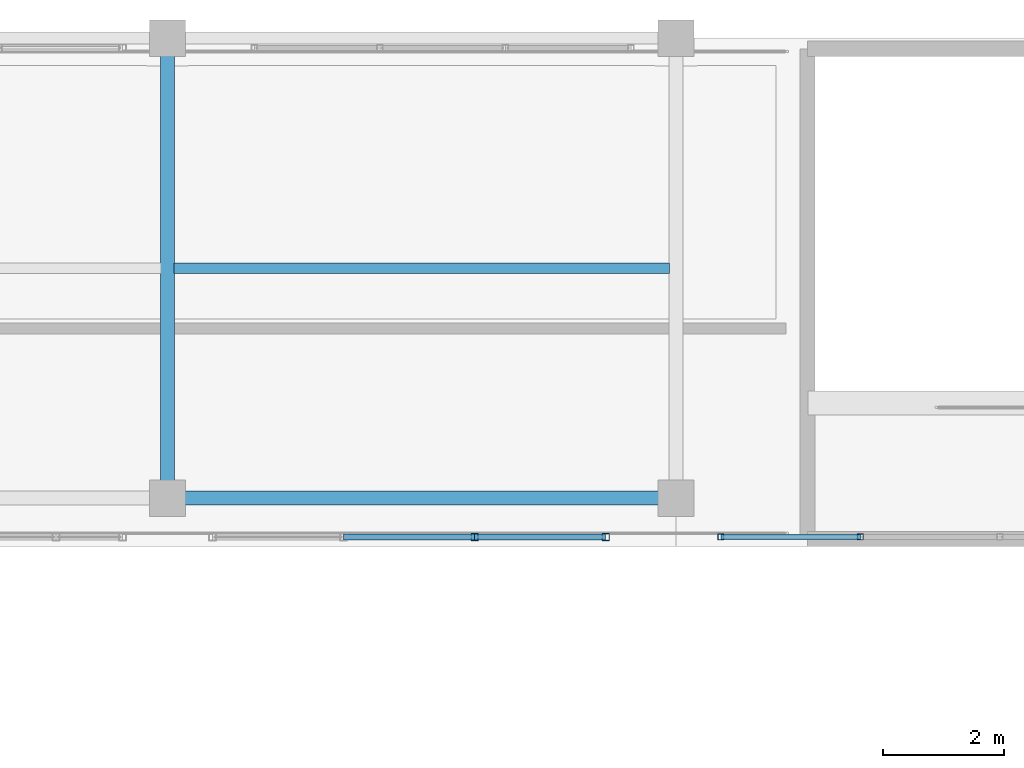
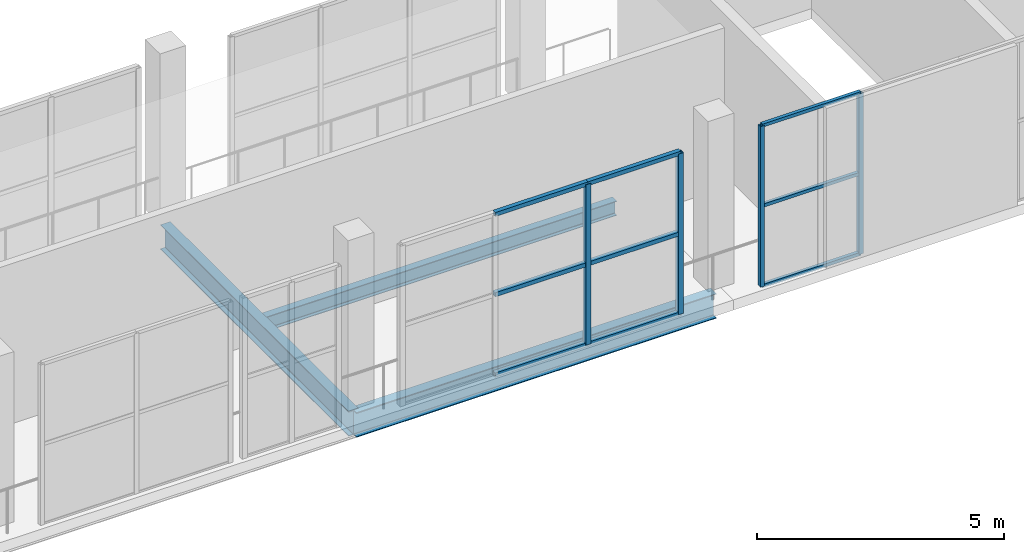
# One storey, part 70 of 151: 13 members, 3 beams, 2 elements without a shape of their own.
"""IFC4 building model written with IfcOpenShell, lengths in metres."""

from ifc_helpers import new_model, si_unit, direction, frame, origin, origin_2d, place, context, subcontext, project, spatial, hollow_rectangle, i_section, extrude, material, material_profile, profile_set, type_object, element, aggregate, save


model = new_model("IFC4")

# Units and contexts
model_context = context("Model", 3, precision=1e-05, world=origin(), true_north=direction((0.0, 1.0)))
body_context = subcontext(model_context, "Body", "Model", "MODEL_VIEW")
ifc_project = project(units=[si_unit("LENGTHUNIT", "METRE"), si_unit("AREAUNIT", "SQUARE_METRE"), si_unit("VOLUMEUNIT", "CUBIC_METRE"), si_unit("PLANEANGLEUNIT", "RADIAN"), si_unit("MASSUNIT", "GRAM", prefix="KILO")], contexts=[model_context])

# Site, building, storey
site_placement = place(None, origin())
site = spatial("IfcSite", under=ifc_project, at=site_placement, CompositionType="ELEMENT")
building_placement = place(site_placement, origin())
building = spatial("IfcBuilding", under=site, at=building_placement, Name="Zuvorla Pavilion Media Centre", CompositionType="ELEMENT")
storey_placement = place(building_placement, frame((0.0, 0.0, 13.800048828125)))
storey = spatial("IfcBuildingStorey", under=building, at=storey_placement, Name="L03", CompositionType="ELEMENT", Elevation=13.800048828125)

# Beams
ifc_material_1 = material(Name="Steel S355", Category="steel")
ifc_material_profile_1 = material_profile(ifc_material_1, i_section(OverallWidth=0.172119140625, OverallDepth=0.35791015625, WebThickness=0.008056640625, FlangeThickness=0.012939453125, FilletRadius=0.01025390625, at=origin_2d()), Name="UB 356x171x57")
ifc_profile_set_1 = profile_set([ifc_material_profile_1], Name="Steel S355")
beam_type_1 = type_object("IfcBeamType", Name="BM-UB356", PredefinedType="JOIST", material=ifc_profile_set_1)
beam_1_placement = place(storey_placement, frame((83.70947265625, 85.800048828125, -0.43701171875), z_axis=(1.0, 0.0, 0.0), x_axis=(0.0, 1.0, 0.0)))
element("IfcBeam", 1, at=beam_1_placement, inside=storey, type_object=beam_type_1, Name="L03 joist J03 1268", PredefinedType="JOIST", context=body_context, shape_type="SweptSolid", body=[
    extrude(i_section(OverallWidth=0.172119140625, OverallDepth=0.35791015625, WebThickness=0.008056640625, FlangeThickness=0.012939453125, FilletRadius=0.01025390625, at=origin_2d()), origin(), (0.0, 0.0, 1.0), 8.180908203125),
])
ifc_material_profile_2 = material_profile(ifc_material_1, i_section(OverallWidth=0.22900390625, OverallDepth=0.6123046875, WebThickness=0.011962890625, FlangeThickness=0.01953125, FilletRadius=0.0126953125, at=origin_2d()), Name="UB 610x229x125")
ifc_profile_set_2 = profile_set([ifc_material_profile_2], Name="Steel S355")
beam_type_2 = type_object("IfcBeamType", Name="BM-UB610", PredefinedType="BEAM", material=ifc_profile_set_2)
beam_2_placement = place(storey_placement, frame((83.60009765625, 82.0, -0.564208984375), z_axis=(1.0, 0.0, 0.0), x_axis=(0.0, 1.0, 0.0)))
element("IfcBeam", 2, at=beam_2_placement, inside=storey, type_object=beam_type_2, Name="L03 beam B07 1123", PredefinedType="BEAM", context=body_context, shape_type="SweptSolid", body=[
    extrude(i_section(OverallWidth=0.22900390625, OverallDepth=0.6123046875, WebThickness=0.011962890625, FlangeThickness=0.01953125, FilletRadius=0.0126953125, at=origin_2d()), origin(), (0.0, 0.0, 1.0), 8.39990234375),
])
beam_3_placement = place(storey_placement, frame((83.60009765625, 82.0, -0.564208984375), z_axis=(0.0, 1.0, 0.0), x_axis=(-1.0, 0.0, 0.0)))
element("IfcBeam", 3, at=beam_3_placement, inside=storey, type_object=beam_type_2, Name="L03 beam B07 1193", PredefinedType="BEAM", context=body_context, shape_type="SweptSolid", body=[
    extrude(i_section(OverallWidth=0.22900390625, OverallDepth=0.6123046875, WebThickness=0.011962890625, FlangeThickness=0.01953125, FilletRadius=0.0126953125, at=origin_2d()), origin(), (0.0, 0.0, 1.0), 7.60009765625),
])

# Curtain wall, members
ifc_material_2 = material(Name="Unitised anodised aluminium and solar glass curtain wall", Category="aluminium")
curtain_wall_type_1 = type_object("IfcCurtainWallType", Name="CW-SYS-70", PredefinedType="USERDEFINED", material=ifc_material_2)
curtain_wall_1_placement = place(storey_placement, origin())
curtain_wall_1 = element("IfcCurtainWall", 4, at=curtain_wall_1_placement, inside=storey, type_object=curtain_wall_type_1, Name="L03 curtain wall CW70 169", ObjectType="CURTAIN WALL", PredefinedType="USERDEFINED")
ifc_material_3 = material(Name="Anodised aluminium 6063-T6", Category="aluminium")
ifc_material_profile_3 = material_profile(ifc_material_3, hollow_rectangle(XDim=0.10009765625, YDim=0.10009765625, WallThickness=0.00439453125, at=origin_2d()), Name="ALU MULL 100x100")
ifc_profile_set_3 = profile_set([ifc_material_profile_3], Name="Anodised aluminium 6063-T6")
member_type_1 = type_object("IfcMemberType", Name="CW-MULL-100", PredefinedType="MULLION", material=ifc_profile_set_3)
member_1_placement = place(storey_placement, frame((95.048095703125, 81.360107421875, 0.0), z_axis=(0.0, 0.0, 1.0), x_axis=(1.0, 0.0, 0.0)))
member_1 = element("IfcMember", 5, at=member_1_placement, type_object=member_type_1, Name="CW70 mullion 3", PredefinedType="MULLION", context=body_context, shape_type="SweptSolid", body=[
    extrude(hollow_rectangle(XDim=0.10009765625, YDim=0.10009765625, WallThickness=0.00439453125, at=origin_2d()), origin(), (0.0, 0.0, 1.0), 3.9599609375),
])
member_2_placement = place(storey_placement, frame((92.744384765625, 81.360107421875, 0.0), z_axis=(0.0, 0.0, 1.0), x_axis=(1.0, 0.0, 0.0)))
member_2 = element("IfcMember", 6, at=member_2_placement, type_object=member_type_1, Name="CW70 mullion 4", PredefinedType="MULLION", context=body_context, shape_type="SweptSolid", body=[
    extrude(hollow_rectangle(XDim=0.10009765625, YDim=0.10009765625, WallThickness=0.00439453125, at=origin_2d()), origin(), (0.0, 0.0, 1.0), 3.9599609375),
])

curtain_wall_type_2 = type_object("IfcCurtainWallType", Name="CW-SYS-81", PredefinedType="USERDEFINED", material=ifc_material_2)
curtain_wall_2_placement = place(storey_placement, origin())
curtain_wall_2 = element("IfcCurtainWall", 7, at=curtain_wall_2_placement, inside=storey, type_object=curtain_wall_type_2, Name="L03 curtain wall CW81 166", ObjectType="CURTAIN WALL", PredefinedType="USERDEFINED")
ifc_material_profile_4 = material_profile(ifc_material_3, hollow_rectangle(XDim=0.1201171875, YDim=0.1201171875, WallThickness=0.0048828125, at=origin_2d()), Name="ALU MULL 120x120")
ifc_profile_set_4 = profile_set([ifc_material_profile_4], Name="Anodised aluminium 6063-T6")
member_type_2 = type_object("IfcMemberType", Name="CW-MULL-120", PredefinedType="MULLION", material=ifc_profile_set_4)
member_3_placement = place(storey_placement, frame((90.840087890625, 81.360107421875, 0.0), z_axis=(0.0, 0.0, 1.0), x_axis=(1.0, 0.0, 0.0)))
member_3 = element("IfcMember", 8, at=member_3_placement, type_object=member_type_2, Name="CW81 mullion 1", PredefinedType="MULLION", context=body_context, shape_type="SweptSolid", body=[
    extrude(hollow_rectangle(XDim=0.1201171875, YDim=0.1201171875, WallThickness=0.0048828125, at=origin_2d()), origin(), (0.0, 0.0, 1.0), 3.9599609375),
])
member_4_placement = place(storey_placement, frame((88.6748046875, 81.360107421875, 0.0), z_axis=(0.0, 0.0, 1.0), x_axis=(1.0, 0.0, 0.0)))
member_4 = element("IfcMember", 9, at=member_4_placement, type_object=member_type_2, Name="CW81 mullion 2", PredefinedType="MULLION", context=body_context, shape_type="SweptSolid", body=[
    extrude(hollow_rectangle(XDim=0.1201171875, YDim=0.1201171875, WallThickness=0.0048828125, at=origin_2d()), origin(), (0.0, 0.0, 1.0), 3.9599609375),
])
ifc_material_profile_5 = material_profile(ifc_material_3, hollow_rectangle(XDim=0.10009765625, YDim=0.10009765625, WallThickness=0.00439453125, at=origin_2d()), Name="ALU TRAN 100x100")
ifc_profile_set_5 = profile_set([ifc_material_profile_5], Name="Anodised aluminium 6063-T6")
member_type_3 = type_object("IfcMemberType", Name="CW-TRAN-100", PredefinedType="USERDEFINED", material=ifc_profile_set_5)
member_5_placement = place(storey_placement, frame((90.840087890625, 81.360107421875, 0.0), z_axis=(-1.0, 0.0, 0.0), x_axis=(0.0, -1.0, 0.0)))
member_5 = element("IfcMember", 10, at=member_5_placement, type_object=member_type_3, Name="CW81 transom 1.1", ObjectType="TRANSOM", PredefinedType="USERDEFINED", context=body_context, shape_type="SweptSolid", body=[
    extrude(hollow_rectangle(XDim=0.10009765625, YDim=0.10009765625, WallThickness=0.00439453125, at=origin_2d()), origin(), (0.0, 0.0, 1.0), 2.165283203125),
])
member_6_placement = place(storey_placement, frame((90.840087890625, 81.360107421875, 1.97998046875), z_axis=(-1.0, 0.0, 0.0), x_axis=(0.0, -1.0, 0.0)))
member_6 = element("IfcMember", 11, at=member_6_placement, type_object=member_type_3, Name="CW81 transom 1.2", ObjectType="TRANSOM", PredefinedType="USERDEFINED", context=body_context, shape_type="SweptSolid", body=[
    extrude(hollow_rectangle(XDim=0.10009765625, YDim=0.10009765625, WallThickness=0.00439453125, at=origin_2d()), origin(), (0.0, 0.0, 1.0), 2.165283203125),
])
member_7_placement = place(storey_placement, frame((90.840087890625, 81.360107421875, 3.9599609375), z_axis=(-1.0, 0.0, 0.0), x_axis=(0.0, -1.0, 0.0)))
member_7 = element("IfcMember", 12, at=member_7_placement, type_object=member_type_3, Name="CW81 transom 1.3", ObjectType="TRANSOM", PredefinedType="USERDEFINED", context=body_context, shape_type="SweptSolid", body=[
    extrude(hollow_rectangle(XDim=0.10009765625, YDim=0.10009765625, WallThickness=0.00439453125, at=origin_2d()), origin(), (0.0, 0.0, 1.0), 2.165283203125),
])
member_8_placement = place(storey_placement, frame((88.6748046875, 81.360107421875, 0.0), z_axis=(-1.0, 0.0, 0.0), x_axis=(0.0, -1.0, 0.0)))
member_8 = element("IfcMember", 13, at=member_8_placement, type_object=member_type_3, Name="CW81 transom 2.1", ObjectType="TRANSOM", PredefinedType="USERDEFINED", context=body_context, shape_type="SweptSolid", body=[
    extrude(hollow_rectangle(XDim=0.10009765625, YDim=0.10009765625, WallThickness=0.00439453125, at=origin_2d()), origin(), (0.0, 0.0, 1.0), 2.165283203125),
])
member_9_placement = place(storey_placement, frame((88.6748046875, 81.360107421875, 1.97998046875), z_axis=(-1.0, 0.0, 0.0), x_axis=(0.0, -1.0, 0.0)))
member_9 = element("IfcMember", 14, at=member_9_placement, type_object=member_type_3, Name="CW81 transom 2.2", ObjectType="TRANSOM", PredefinedType="USERDEFINED", context=body_context, shape_type="SweptSolid", body=[
    extrude(hollow_rectangle(XDim=0.10009765625, YDim=0.10009765625, WallThickness=0.00439453125, at=origin_2d()), origin(), (0.0, 0.0, 1.0), 2.165283203125),
])
member_10_placement = place(storey_placement, frame((88.6748046875, 81.360107421875, 3.9599609375), z_axis=(-1.0, 0.0, 0.0), x_axis=(0.0, -1.0, 0.0)))
member_10 = element("IfcMember", 15, at=member_10_placement, type_object=member_type_3, Name="CW81 transom 2.3", ObjectType="TRANSOM", PredefinedType="USERDEFINED", context=body_context, shape_type="SweptSolid", body=[
    extrude(hollow_rectangle(XDim=0.10009765625, YDim=0.10009765625, WallThickness=0.00439453125, at=origin_2d()), origin(), (0.0, 0.0, 1.0), 2.165283203125),
])
aggregate(curtain_wall_2, [member_3, member_4, member_5, member_6, member_7, member_8, member_9, member_10])

# Member
ifc_material_profile_6 = material_profile(ifc_material_3, hollow_rectangle(XDim=0.080078125, YDim=0.080078125, WallThickness=0.00390625, at=origin_2d()), Name="ALU TRAN 80x80")
ifc_profile_set_6 = profile_set([ifc_material_profile_6], Name="Anodised aluminium 6063-T6")
member_type_4 = type_object("IfcMemberType", Name="CW-TRAN-80", PredefinedType="USERDEFINED", material=ifc_profile_set_6)
member_11_placement = place(storey_placement, frame((95.048095703125, 81.360107421875, 0.0), z_axis=(-1.0, 0.0, 0.0), x_axis=(0.0, -1.0, 0.0)))
member_11 = element("IfcMember", 16, at=member_11_placement, type_object=member_type_4, Name="CW70 transom 3.1", ObjectType="TRANSOM", PredefinedType="USERDEFINED", context=body_context, shape_type="SweptSolid", body=[
    extrude(hollow_rectangle(XDim=0.080078125, YDim=0.080078125, WallThickness=0.00390625, at=origin_2d()), origin(), (0.0, 0.0, 1.0), 2.3037109375),
])

member_12_placement = place(storey_placement, frame((95.048095703125, 81.360107421875, 1.97998046875), z_axis=(-1.0, 0.0, 0.0), x_axis=(0.0, -1.0, 0.0)))
member_12 = element("IfcMember", 17, at=member_12_placement, type_object=member_type_4, Name="CW70 transom 3.2", ObjectType="TRANSOM", PredefinedType="USERDEFINED", context=body_context, shape_type="SweptSolid", body=[
    extrude(hollow_rectangle(XDim=0.080078125, YDim=0.080078125, WallThickness=0.00390625, at=origin_2d()), origin(), (0.0, 0.0, 1.0), 2.3037109375),
])

member_13_placement = place(storey_placement, frame((95.048095703125, 81.360107421875, 3.9599609375), z_axis=(-1.0, 0.0, 0.0), x_axis=(0.0, -1.0, 0.0)))
member_13 = element("IfcMember", 18, at=member_13_placement, type_object=member_type_4, Name="CW70 transom 3.3", ObjectType="TRANSOM", PredefinedType="USERDEFINED", context=body_context, shape_type="SweptSolid", body=[
    extrude(hollow_rectangle(XDim=0.080078125, YDim=0.080078125, WallThickness=0.00390625, at=origin_2d()), origin(), (0.0, 0.0, 1.0), 2.3037109375),
])

aggregate(curtain_wall_1, [member_1, member_2, member_11, member_12, member_13])

save(model, "model.ifc")
